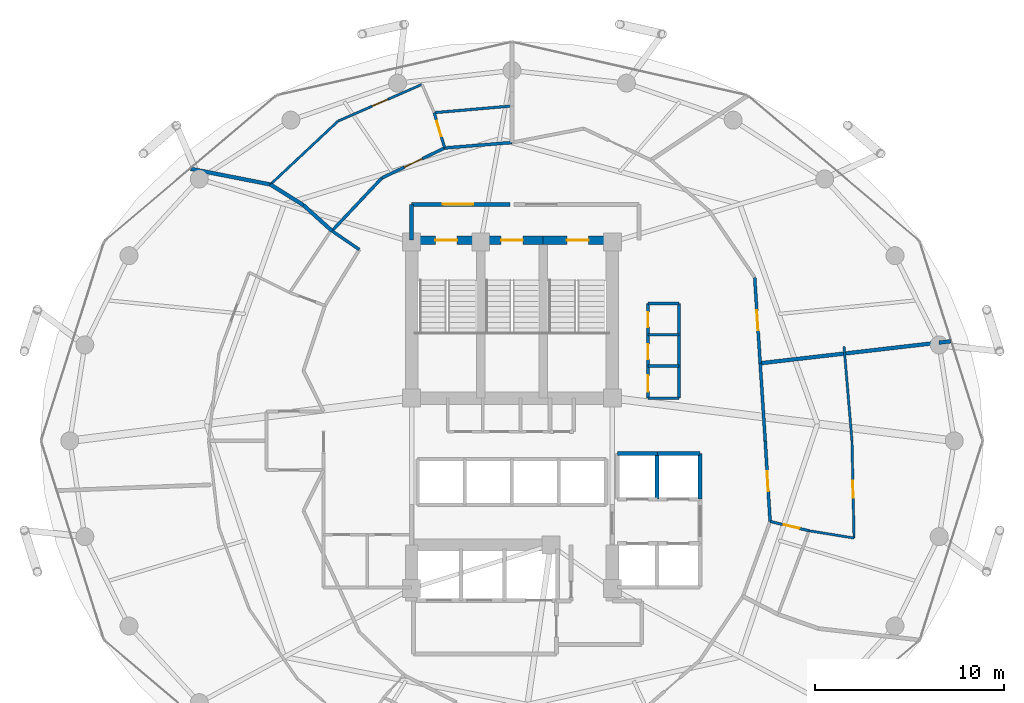
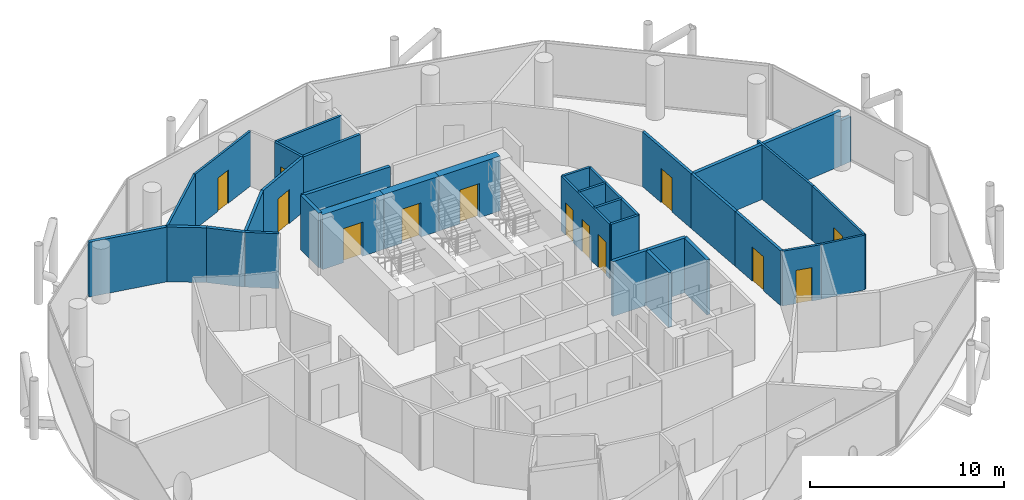
# One storey, part 24 of 26: 35 walls, 14 doors, 14 openings.
"""IFC4 building model written with IfcOpenShell, lengths in metres."""

from ifc_helpers import new_model, si_unit, direction, frame, frame_2d, origin, place, context, subcontext, project, spatial, rectangle, extrude, material, layer, layer_set, type_object, element, fill, save


model = new_model("IFC4")

# Units and contexts
model_context = context("Model", 3, precision=1e-05, world=origin(), true_north=direction((0.0, 1.0)))
body_context = subcontext(model_context, "Body", "Model", "MODEL_VIEW")
ifc_project = project(units=[si_unit("LENGTHUNIT", "METRE"), si_unit("AREAUNIT", "SQUARE_METRE"), si_unit("VOLUMEUNIT", "CUBIC_METRE"), si_unit("PLANEANGLEUNIT", "RADIAN"), si_unit("MASSUNIT", "GRAM", prefix="KILO")], contexts=[model_context])

# Site, building, storey
site_placement = place(None, origin())
site = spatial("IfcSite", under=ifc_project, at=site_placement, CompositionType="ELEMENT")
building_placement = place(site_placement, origin())
building = spatial("IfcBuilding", under=site, at=building_placement, Name="Nuhasar Tower", CompositionType="ELEMENT")
storey_placement = place(building_placement, frame((0.0, 0.0, 136.75)))
storey = spatial("IfcBuildingStorey", under=building, at=storey_placement, Name="L32", CompositionType="ELEMENT", Elevation=136.75)

# Wall, opening, door
ifc_material_1 = material(Name="Concrete C50/60", Category="concrete")
ifc_layer_1 = layer(ifc_material_1, 0.449951171875)
ifc_layer_set_1 = layer_set([ifc_layer_1], Name="Concrete C50/60")
wall_type_1 = type_object("IfcWallType", Name="WL-CORE-450", PredefinedType="SHEAR", material=ifc_layer_set_1)
wall_1_placement = place(storey_placement, frame((37.35009765625, 37.39990234375, 0.0), z_axis=(0.0, 0.0, 1.0), x_axis=(-1.0, 0.0, 0.0)))
wall_1 = element("IfcWall", 1, at=wall_1_placement, inside=storey, type_object=wall_type_1, Name="L32 Stairwell Shear Wall ST01-N", PredefinedType="SHEAR", context=body_context, shape_type="SweptSolid", body=[
    extrude(rectangle(XDim=3.650146484375, YDim=0.449951171875, at=frame_2d((1.8251953125, 0.0))), origin(), (0.0, 0.0, 1.0), 3.449951171875),
])
opening_1_placement = place(wall_1_placement, frame((1.25, 0.0, 0.0)))
opening_1 = element("IfcOpeningElement", 2, at=opening_1_placement, cuts=wall_1, Name="Opening DS-01", PredefinedType="OPENING", context=body_context, shape_type="SweptSolid", body=[
    extrude(rectangle(XDim=1.14990234375, YDim=2.14990234375, at=frame_2d((0.574951171875, 1.074951171875))), frame((0.0, 0.23486328125, 0.0), z_axis=(0.0, -1.0, 0.0), x_axis=(1.0, 0.0, 0.0)), (0.0, 0.0, 1.0), 0.469970703125),
])
ifc_material_2 = material(Name="Steel S355", Category="steel")
door_type_1 = type_object("IfcDoorType", Name="DR-STAIR-FD120-1150", OperationType="NOTDEFINED", PredefinedType="DOOR", material=ifc_material_2)
door_1_placement = place(opening_1_placement, origin())
door_1 = element("IfcDoor", 3, at=door_1_placement, inside=storey, type_object=door_type_1, Name="L32 Exit Stair ST-01 Door", OperationType="SINGLE_SWING_RIGHT", OverallHeight=2.14990234375, OverallWidth=1.14990234375, PredefinedType="DOOR", context=body_context, shape_type="SweptSolid", body=[
    extrude(rectangle(XDim=1.14990234375, YDim=2.14990234375, at=frame_2d((0.574951171875, 1.074951171875))), frame((0.0, 0.02490234375, 0.0), z_axis=(0.0, -1.0, 0.0), x_axis=(1.0, 0.0, 0.0)), (0.0, 0.0, 1.0), 0.050048828125),
])
fill(opening_1, door_1)

wall_2_placement = place(storey_placement, frame((40.64990234375, 37.39990234375, 0.0), z_axis=(0.0, 0.0, 1.0), x_axis=(-1.0, 0.0, 0.0)))
wall_2 = element("IfcWall", 4, at=wall_2_placement, inside=storey, type_object=wall_type_1, Name="L32 Stairwell Shear Wall ST03-N", PredefinedType="SHEAR", context=body_context, shape_type="SweptSolid", body=[
    extrude(rectangle(XDim=3.2998046875, YDim=0.449951171875, at=frame_2d((1.64990234375, 0.0))), origin(), (0.0, 0.0, 1.0), 3.449951171875),
])
opening_2_placement = place(wall_2_placement, frame((1.074951171875, 0.0, 0.0)))
opening_2 = element("IfcOpeningElement", 5, at=opening_2_placement, cuts=wall_2, Name="Opening DS-01", PredefinedType="OPENING", context=body_context, shape_type="SweptSolid", body=[
    extrude(rectangle(XDim=1.14990234375, YDim=2.14990234375, at=frame_2d((0.574951171875, 1.074951171875))), frame((0.0, 0.23486328125, 0.0), z_axis=(0.0, -1.0, 0.0), x_axis=(1.0, 0.0, 0.0)), (0.0, 0.0, 1.0), 0.469970703125),
])
door_2_placement = place(opening_2_placement, origin())
door_2 = element("IfcDoor", 6, at=door_2_placement, inside=storey, type_object=door_type_1, Name="L32 Exit Stair ST-03 Door", OperationType="SINGLE_SWING_RIGHT", OverallHeight=2.14990234375, OverallWidth=1.14990234375, PredefinedType="DOOR", context=body_context, shape_type="SweptSolid", body=[
    extrude(rectangle(XDim=1.14990234375, YDim=2.14990234375, at=frame_2d((0.574951171875, 1.074951171875))), frame((0.0, 0.02490234375, 0.0), z_axis=(0.0, -1.0, 0.0), x_axis=(1.0, 0.0, 0.0)), (0.0, 0.0, 1.0), 0.050048828125),
])
fill(opening_2, door_2)

wall_3_placement = place(storey_placement, frame((44.300048828125, 37.39990234375, 0.0), z_axis=(0.0, 0.0, 1.0), x_axis=(-1.0, 0.0, 0.0)))
wall_3 = element("IfcWall", 7, at=wall_3_placement, inside=storey, type_object=wall_type_1, Name="L32 Stairwell Shear Wall ST02-N", PredefinedType="SHEAR", context=body_context, shape_type="SweptSolid", body=[
    extrude(rectangle(XDim=3.650146484375, YDim=0.449951171875, at=frame_2d((1.8251953125, 0.0))), origin(), (0.0, 0.0, 1.0), 3.449951171875),
])
opening_3_placement = place(wall_3_placement, frame((1.25, 0.0, 0.0)))
opening_3 = element("IfcOpeningElement", 8, at=opening_3_placement, cuts=wall_3, Name="Opening DS-01", PredefinedType="OPENING", context=body_context, shape_type="SweptSolid", body=[
    extrude(rectangle(XDim=1.14990234375, YDim=2.14990234375, at=frame_2d((0.574951171875, 1.074951171875))), frame((0.0, 0.23486328125, 0.0), z_axis=(0.0, -1.0, 0.0), x_axis=(1.0, 0.0, 0.0)), (0.0, 0.0, 1.0), 0.469970703125),
])
door_3_placement = place(opening_3_placement, origin())
door_3 = element("IfcDoor", 9, at=door_3_placement, inside=storey, type_object=door_type_1, Name="L32 Exit Stair ST-02 Door", OperationType="SINGLE_SWING_LEFT", OverallHeight=2.14990234375, OverallWidth=1.14990234375, PredefinedType="DOOR", context=body_context, shape_type="SweptSolid", body=[
    extrude(rectangle(XDim=1.14990234375, YDim=2.14990234375, at=frame_2d((0.574951171875, 1.074951171875))), frame((0.0, 0.02490234375, 0.0), z_axis=(0.0, -1.0, 0.0), x_axis=(1.0, 0.0, 0.0)), (0.0, 0.0, 1.0), 0.050048828125),
])
fill(opening_3, door_3)

ifc_material_3 = material(Name="Gypsum Board", Category="gypsum")
ifc_layer_2 = layer(ifc_material_3, 0.159912109375)
ifc_layer_set_2 = layer_set([ifc_layer_2], Name="Gypsum Board")
wall_type_2 = type_object("IfcWallType", Name="WL-CORR-160", PredefinedType="PARTITIONING", material=ifc_layer_set_2)
wall_4_placement = place(storey_placement, frame((52.3701171875, 26.800048828125, 0.0), z_axis=(0.0, 0.0, 1.0), x_axis=(0.060208216468, -0.998185839746, 0.0)))
wall_4 = element("IfcWall", 10, at=wall_4_placement, inside=storey, type_object=wall_type_2, Name="L32 Interior Partition CORR-46", PredefinedType="PARTITIONING", context=body_context, shape_type="SweptSolid", body=[
    extrude(rectangle(XDim=4.265869140625, YDim=0.159912109375, at=frame_2d((2.1328125, 0.0))), origin(), (0.0, 0.0, 1.0), 3.449951171875),
])
opening_4_placement = place(wall_4_placement, frame((1.60791015625, 0.0, 0.0)))
opening_4 = element("IfcOpeningElement", 11, at=opening_4_placement, cuts=wall_4, Name="Opening DU-01", PredefinedType="OPENING", context=body_context, shape_type="SweptSolid", body=[
    extrude(rectangle(XDim=1.050048828125, YDim=2.14990234375, at=frame_2d((0.52490234375, 1.074951171875))), frame((0.0, 0.08984375, 0.0), z_axis=(0.0, -1.0, 0.0), x_axis=(1.0, 0.0, 0.0)), (0.0, 0.0, 1.0), 0.179931640625),
])
ifc_material_4 = material(Name="Timber Oak", Category="wood")
door_type_2 = type_object("IfcDoorType", Name="DR-SUITE-FD60-1050", OperationType="NOTDEFINED", PredefinedType="DOOR", material=ifc_material_4)
door_4_placement = place(opening_4_placement, origin())
door_4 = element("IfcDoor", 12, at=door_4_placement, inside=storey, type_object=door_type_2, Name="L32 Panorama Suite 02 Entrance Door", OperationType="SINGLE_SWING_RIGHT", OverallHeight=2.14990234375, OverallWidth=1.050048828125, PredefinedType="DOOR", context=body_context, shape_type="SweptSolid", body=[
    extrude(rectangle(XDim=1.050048828125, YDim=2.14990234375, at=frame_2d((0.52490234375, 1.074951171875))), frame((0.0, 0.02490234375, 0.0), z_axis=(0.0, -1.0, 0.0), x_axis=(1.0, 0.0, 0.0)), (0.0, 0.0, 1.0), 0.050048828125),
])
fill(opening_4, door_4)

# Wall
wall_5_placement = place(storey_placement, frame((52.3701171875, 26.800048828125, 0.0), z_axis=(0.0, 0.0, 1.0), x_axis=(-0.065101036033, 0.997878677549, 0.0)))
element("IfcWall", 13, at=wall_5_placement, inside=storey, type_object=wall_type_2, Name="L32 Interior Partition CORR-00", PredefinedType="PARTITIONING", context=body_context, shape_type="SweptSolid", body=[
    extrude(rectangle(XDim=4.102783203125, YDim=0.159912109375, at=frame_2d((2.05126953125, 0.0))), origin(), (0.0, 0.0, 1.0), 3.449951171875),
])

# Wall, opening, door
wall_6_placement = place(storey_placement, frame((51.81396484375, 35.427001953125, 0.0), z_axis=(0.0, 0.0, 1.0), x_axis=(0.063639788552, -0.997972934159, 0.0)))
wall_6 = element("IfcWall", 14, at=wall_6_placement, inside=storey, type_object=wall_type_2, Name="L32 Interior Partition CORR-02", PredefinedType="PARTITIONING", context=body_context, shape_type="SweptSolid", body=[
    extrude(rectangle(XDim=4.542236328125, YDim=0.159912109375, at=frame_2d((2.27099609375, 0.0))), origin(), (0.0, 0.0, 1.0), 3.449951171875),
])
opening_5_placement = place(wall_6_placement, frame((1.74609375, 0.0, 0.0)))
opening_5 = element("IfcOpeningElement", 15, at=opening_5_placement, cuts=wall_6, Name="Opening DU-01", PredefinedType="OPENING", context=body_context, shape_type="SweptSolid", body=[
    extrude(rectangle(XDim=1.050048828125, YDim=2.14990234375, at=frame_2d((0.52490234375, 1.074951171875))), frame((0.0, 0.08984375, 0.0), z_axis=(0.0, -1.0, 0.0), x_axis=(1.0, 0.0, 0.0)), (0.0, 0.0, 1.0), 0.179931640625),
])
door_5_placement = place(opening_5_placement, origin())
door_5 = element("IfcDoor", 16, at=door_5_placement, inside=storey, type_object=door_type_2, Name="L32 Sommelier Tea Lounge Entrance Door", OperationType="SINGLE_SWING_RIGHT", OverallHeight=2.14990234375, OverallWidth=1.050048828125, PredefinedType="DOOR", context=body_context, shape_type="SweptSolid", body=[
    extrude(rectangle(XDim=1.050048828125, YDim=2.14990234375, at=frame_2d((0.52490234375, 1.074951171875))), frame((0.0, 0.02490234375, 0.0), z_axis=(0.0, -1.0, 0.0), x_axis=(1.0, 0.0, 0.0)), (0.0, 0.0, 1.0), 0.050048828125),
])
fill(opening_5, door_5)

# Wall
wall_7_placement = place(storey_placement, frame((39.0, 42.550048828125, 0.0), z_axis=(0.0, 0.0, 1.0), x_axis=(-0.996706794078, -0.081089867669, 0.0)))
element("IfcWall", 17, at=wall_7_placement, inside=storey, type_object=wall_type_2, Name="L32 Interior Partition CORR-12", PredefinedType="PARTITIONING", context=body_context, shape_type="SweptSolid", body=[
    extrude(rectangle(XDim=3.564697265625, YDim=0.159912109375, at=frame_2d((1.7822265625, 0.0))), origin(), (0.0, 0.0, 1.0), 3.449951171875),
])

# Wall, opening, door
wall_8_placement = place(storey_placement, frame((32.12890625, 40.677001953125, 0.0), z_axis=(0.0, 0.0, 1.0), x_axis=(0.902445250627, 0.430804560817, 0.0)))
wall_8 = element("IfcWall", 18, at=wall_8_placement, inside=storey, type_object=wall_type_2, Name="L32 Interior Partition CORR-14", PredefinedType="PARTITIONING", context=body_context, shape_type="SweptSolid", body=[
    extrude(rectangle(XDim=3.6767578125, YDim=0.159912109375, at=frame_2d((1.83837890625, 0.0))), origin(), (0.0, 0.0, 1.0), 3.449951171875),
])
opening_6_placement = place(wall_8_placement, frame((1.31298828125, 0.0, 0.0)))
opening_6 = element("IfcOpeningElement", 19, at=opening_6_placement, cuts=wall_8, Name="Opening DU-01", PredefinedType="OPENING", context=body_context, shape_type="SweptSolid", body=[
    extrude(rectangle(XDim=1.050048828125, YDim=2.14990234375, at=frame_2d((0.52490234375, 1.074951171875))), frame((0.0, 0.08984375, 0.0), z_axis=(0.0, -1.0, 0.0), x_axis=(1.0, 0.0, 0.0)), (0.0, 0.0, 1.0), 0.179931640625),
])
door_6_placement = place(opening_6_placement, origin())
door_6 = element("IfcDoor", 20, at=door_6_placement, inside=storey, type_object=door_type_2, Name="L32 Corniche Suite 03 Entrance Door", OperationType="SINGLE_SWING_RIGHT", OverallHeight=2.14990234375, OverallWidth=1.050048828125, PredefinedType="DOOR", context=body_context, shape_type="SweptSolid", body=[
    extrude(rectangle(XDim=1.050048828125, YDim=2.14990234375, at=frame_2d((0.52490234375, 1.074951171875))), frame((0.0, 0.02490234375, 0.0), z_axis=(0.0, -1.0, 0.0), x_axis=(1.0, 0.0, 0.0)), (0.0, 0.0, 1.0), 0.050048828125),
])
fill(opening_6, door_6)

# Walls
wall_9_placement = place(storey_placement, frame((32.12890625, 40.677001953125, 0.0), z_axis=(0.0, 0.0, 1.0), x_axis=(-0.68619756668, -0.727415218072, 0.0)))
element("IfcWall", 21, at=wall_9_placement, inside=storey, type_object=wall_type_2, Name="L32 Interior Partition CORR-16", PredefinedType="PARTITIONING", context=body_context, shape_type="SweptSolid", body=[
    extrude(rectangle(XDim=3.838134765625, YDim=0.159912109375, at=frame_2d((1.9189453125, 0.0))), origin(), (0.0, 0.0, 1.0), 3.449951171875),
])
wall_10_placement = place(storey_placement, frame((30.93896484375, 36.89697265625, 0.0), z_axis=(0.0, 0.0, 1.0), x_axis=(-0.825269608573, 0.564738942491, 0.0)))
element("IfcWall", 22, at=wall_10_placement, inside=storey, type_object=wall_type_2, Name="L32 Interior Partition HRAD-18-IN", PredefinedType="PARTITIONING", context=body_context, shape_type="SweptSolid", body=[
    extrude(rectangle(XDim=1.74951171875, YDim=0.159912109375, at=frame_2d((0.874755859375, 0.0))), origin(), (0.0, 0.0, 1.0), 3.449951171875),
])
ifc_material_5 = material(Name="Concrete C45/55", Category="concrete")
ifc_layer_3 = layer(ifc_material_5, 0.199951171875)
ifc_layer_set_3 = layer_set([ifc_layer_3], Name="Concrete C45/55")
wall_type_3 = type_object("IfcWallType", Name="WL-LOBBY-200", PredefinedType="SOLIDWALL", material=ifc_layer_set_3)
wall_11_placement = place(storey_placement, frame((33.699951171875, 37.39990234375, 0.0), z_axis=(0.0, 0.0, 1.0), x_axis=(0.0, 1.0, 0.0)))
element("IfcWall", 23, at=wall_11_placement, inside=storey, type_object=wall_type_3, Name="L32 Interior Partition NSL-W", PredefinedType="SOLIDWALL", context=body_context, shape_type="SweptSolid", body=[
    extrude(rectangle(XDim=1.880126953125, YDim=0.199951171875, at=frame_2d((0.93994140625, 0.0))), origin(), (0.0, 0.0, 1.0), 3.449951171875),
])

# Wall, opening, door
wall_12_placement = place(storey_placement, frame((38.89990234375, 39.280029296875, 0.0), z_axis=(0.0, 0.0, 1.0), x_axis=(-1.0, 0.0, 0.0)))
wall_12 = element("IfcWall", 24, at=wall_12_placement, inside=storey, type_object=wall_type_3, Name="L32 Interior Partition NSL-N1", PredefinedType="SOLIDWALL", context=body_context, shape_type="SweptSolid", body=[
    extrude(rectangle(XDim=5.199951171875, YDim=0.199951171875, at=frame_2d((2.60009765625, 0.0))), origin(), (0.0, 0.0, 1.0), 3.449951171875),
])
opening_7_placement = place(wall_12_placement, frame((1.949951171875, 0.0, 0.0)))
opening_7 = element("IfcOpeningElement", 25, at=opening_7_placement, cuts=wall_12, Name="Opening DC-01", PredefinedType="OPENING", context=body_context, shape_type="SweptSolid", body=[
    extrude(rectangle(XDim=1.60009765625, YDim=2.199951171875, at=frame_2d((0.800048828125, 1.10009765625))), frame((0.0, 0.10986328125, 0.0), z_axis=(0.0, -1.0, 0.0), x_axis=(1.0, 0.0, 0.0)), (0.0, 0.0, 1.0), 0.219970703125),
])
door_type_3 = type_object("IfcDoorType", Name="DR-CORR-FD60-1600", OperationType="DOUBLE_DOOR_SINGLE_SWING", PredefinedType="DOOR", material=ifc_material_2)
door_7_placement = place(opening_7_placement, origin())
door_7 = element("IfcDoor", 26, at=door_7_placement, inside=storey, type_object=door_type_3, Name="L32 North Stair Lobby West Door", OperationType="DOUBLE_DOOR_SINGLE_SWING", OverallHeight=2.199951171875, OverallWidth=1.60009765625, PredefinedType="DOOR", context=body_context, shape_type="SweptSolid", body=[
    extrude(rectangle(XDim=1.60009765625, YDim=2.199951171875, at=frame_2d((0.800048828125, 1.10009765625))), frame((0.0, 0.02490234375, 0.0), z_axis=(0.0, -1.0, 0.0), x_axis=(1.0, 0.0, 0.0)), (0.0, 0.0, 1.0), 0.050048828125),
])
fill(opening_7, door_7)

# Wall
ifc_layer_4 = layer(ifc_material_3, 0.125)
ifc_layer_set_4 = layer_set([ifc_layer_4], Name="Gypsum Board")
wall_type_4 = type_object("IfcWallType", Name="WL-PART-125", PredefinedType="PARTITIONING", material=ifc_layer_set_4)
wall_13_placement = place(storey_placement, frame((54.68701171875, 22.051025390625, 0.0), z_axis=(0.0, 0.0, 1.0), x_axis=(0.987082473446, -0.160212953955, 0.0)))
element("IfcWall", 27, at=wall_13_placement, inside=storey, type_object=wall_type_4, Name="L32 Interior Partition HBS-03", PredefinedType="PARTITIONING", context=body_context, shape_type="SweptSolid", body=[
    extrude(rectangle(XDim=2.403076171875, YDim=0.125, at=frame_2d((1.20166015625, 0.0))), origin(), (0.0, 0.0, 1.0), 3.449951171875),
])

# Wall, opening, door
wall_14_placement = place(storey_placement, frame((56.949951171875, 26.800048828125, 0.0), z_axis=(0.0, 0.0, 1.0), x_axis=(0.02125155973, -0.999774160103, 0.0)))
wall_14 = element("IfcWall", 28, at=wall_14_placement, inside=storey, type_object=wall_type_4, Name="L32 Interior Partition HSAL-03-46", PredefinedType="PARTITIONING", context=body_context, shape_type="SweptSolid", body=[
    extrude(rectangle(XDim=5.13525390625, YDim=0.125, at=frame_2d((2.567626953125, 0.0))), origin(), (0.0, 0.0, 1.0), 3.449951171875),
])
opening_8_placement = place(wall_14_placement, frame((2.117919921875, 0.0, 0.0)))
opening_8 = element("IfcOpeningElement", 29, at=opening_8_placement, cuts=wall_14, Name="Opening DR-01", PredefinedType="OPENING", context=body_context, shape_type="SweptSolid", body=[
    extrude(rectangle(XDim=0.89990234375, YDim=2.10009765625, at=frame_2d((0.449951171875, 1.050048828125))), frame((0.0, 0.072509765625, 0.0), z_axis=(0.0, -1.0, 0.0), x_axis=(1.0, 0.0, 0.0)), (0.0, 0.0, 1.0), 0.14501953125),
])
door_type_4 = type_object("IfcDoorType", Name="DR-ROOM-900", OperationType="NOTDEFINED", PredefinedType="DOOR", material=ifc_material_4)
door_8_placement = place(opening_8_placement, origin())
door_8 = element("IfcDoor", 30, at=door_8_placement, inside=storey, type_object=door_type_4, Name="L32 Panorama Suite 02 Bedroom Door", OperationType="SINGLE_SWING_RIGHT", OverallHeight=2.10009765625, OverallWidth=0.89990234375, PredefinedType="DOOR", context=body_context, shape_type="SweptSolid", body=[
    extrude(rectangle(XDim=0.89990234375, YDim=2.10009765625, at=frame_2d((0.449951171875, 1.050048828125))), frame((0.0, 0.02490234375, 0.0), z_axis=(0.0, -1.0, 0.0), x_axis=(1.0, 0.0, 0.0)), (0.0, 0.0, 1.0), 0.050048828125),
])
fill(opening_8, door_8)

# Wall
wall_15_placement = place(storey_placement, frame((56.949951171875, 26.800048828125, 0.0), z_axis=(0.0, 0.0, 1.0), x_axis=(-0.083958417044, 0.996469259038, 0.0)))
element("IfcWall", 31, at=wall_15_placement, inside=storey, type_object=wall_type_4, Name="L32 Interior Partition HSAL-03-00", PredefinedType="PARTITIONING", context=body_context, shape_type="SweptSolid", body=[
    extrude(rectangle(XDim=5.00146484375, YDim=0.125, at=frame_2d((2.500732421875, 0.0))), origin(), (0.0, 0.0, 1.0), 3.449951171875),
])

# Wall, opening, door
wall_16_placement = place(storey_placement, frame((29.81494140625, 43.678955078125, 0.0), z_axis=(0.0, 0.0, 1.0), x_axis=(0.916122593443, 0.400898233699, 0.0)))
wall_16 = element("IfcWall", 32, at=wall_16_placement, inside=storey, type_object=wall_type_4, Name="L32 Interior Partition HSAL-06-14", PredefinedType="PARTITIONING", context=body_context, shape_type="SweptSolid", body=[
    extrude(rectangle(XDim=4.8388671875, YDim=0.125, at=frame_2d((2.41943359375, 0.0))), origin(), (0.0, 0.0, 1.0), 3.449951171875),
])
opening_9_placement = place(wall_16_placement, frame((1.968994140625, 0.0, 0.0)))
opening_9 = element("IfcOpeningElement", 33, at=opening_9_placement, cuts=wall_16, Name="Opening DR-01", PredefinedType="OPENING", context=body_context, shape_type="SweptSolid", body=[
    extrude(rectangle(XDim=0.89990234375, YDim=2.10009765625, at=frame_2d((0.449951171875, 1.050048828125))), frame((0.0, 0.072509765625, 0.0), z_axis=(0.0, -1.0, 0.0), x_axis=(1.0, 0.0, 0.0)), (0.0, 0.0, 1.0), 0.14501953125),
])
door_9_placement = place(opening_9_placement, origin())
door_9 = element("IfcDoor", 34, at=door_9_placement, inside=storey, type_object=door_type_4, Name="L32 Corniche Suite 03 Bedroom Door", OperationType="SINGLE_SWING_RIGHT", OverallHeight=2.10009765625, OverallWidth=0.89990234375, PredefinedType="DOOR", context=body_context, shape_type="SweptSolid", body=[
    extrude(rectangle(XDim=0.89990234375, YDim=2.10009765625, at=frame_2d((0.449951171875, 1.050048828125))), frame((0.0, 0.02490234375, 0.0), z_axis=(0.0, -1.0, 0.0), x_axis=(1.0, 0.0, 0.0)), (0.0, 0.0, 1.0), 0.050048828125),
])
fill(opening_9, door_9)

# Walls
wall_17_placement = place(storey_placement, frame((29.81494140625, 43.678955078125, 0.0), z_axis=(0.0, 0.0, 1.0), x_axis=(-0.729831223249, -0.683627373333, 0.0)))
element("IfcWall", 35, at=wall_17_placement, inside=storey, type_object=wall_type_4, Name="L32 Interior Partition HSAL-06-16", PredefinedType="PARTITIONING", context=body_context, shape_type="SweptSolid", body=[
    extrude(rectangle(XDim=4.89306640625, YDim=0.125, at=frame_2d((2.446533203125, 0.0))), origin(), (0.0, 0.0, 1.0), 3.449951171875),
])
ifc_layer_5 = layer(ifc_material_5, 0.199951171875)
ifc_layer_set_5 = layer_set([ifc_layer_5], Name="Concrete C45/55")
wall_type_5 = type_object("IfcWallType", Name="WL-SHAFT-200", PredefinedType="SOLIDWALL", material=ifc_layer_set_5)
wall_18_placement = place(storey_placement, frame((44.570068359375, 26.1298828125, 0.0), z_axis=(0.0, 0.0, 1.0), x_axis=(1.0, 0.0, 0.0)))
element("IfcWall", 36, at=wall_18_placement, inside=storey, type_object=wall_type_5, Name="L32 Interior Partition SHF-PL-M01-N", PredefinedType="SOLIDWALL", context=body_context, shape_type="SweptSolid", body=[
    extrude(rectangle(XDim=2.10986328125, YDim=0.199951171875, at=frame_2d((1.054931640625, 0.0))), origin(), (0.0, 0.0, 1.0), 3.449951171875),
])
wall_19_placement = place(storey_placement, frame((46.64990234375, 23.719970703125, 0.0), z_axis=(0.0, 0.0, 1.0), x_axis=(0.0, 1.0, 0.0)))
element("IfcWall", 37, at=wall_19_placement, inside=storey, type_object=wall_type_5, Name="L32 Interior Partition SHF-PL-M01-E", PredefinedType="SOLIDWALL", context=body_context, shape_type="SweptSolid", body=[
    extrude(rectangle(XDim=2.409912109375, YDim=0.199951171875, at=frame_2d((1.205078125, 0.0))), origin(), (0.0, 0.0, 1.0), 3.449951171875),
])
wall_20_placement = place(storey_placement, frame((46.6201171875, 26.1298828125, 0.0), z_axis=(0.0, 0.0, 1.0), x_axis=(1.0, 0.0, 0.0)))
element("IfcWall", 38, at=wall_20_placement, inside=storey, type_object=wall_type_5, Name="L32 Interior Partition SHF-PL-M02-N", PredefinedType="SOLIDWALL", context=body_context, shape_type="SweptSolid", body=[
    extrude(rectangle(XDim=2.309814453125, YDim=0.199951171875, at=frame_2d((1.15478515625, 0.0))), origin(), (0.0, 0.0, 1.0), 3.449951171875),
])
wall_21_placement = place(storey_placement, frame((48.929931640625, 23.719970703125, 0.0), z_axis=(0.0, 0.0, 1.0), x_axis=(0.0, 1.0, 0.0)))
element("IfcWall", 39, at=wall_21_placement, inside=storey, type_object=wall_type_5, Name="L32 Interior Partition SHF-PL-M02-E", PredefinedType="SOLIDWALL", context=body_context, shape_type="SweptSolid", body=[
    extrude(rectangle(XDim=2.409912109375, YDim=0.199951171875, at=frame_2d((1.205078125, 0.0))), origin(), (0.0, 0.0, 1.0), 3.449951171875),
])
ifc_material_6 = material(Name="Concrete C40/50 precast", Category="concrete")
ifc_layer_6 = layer(ifc_material_6, 0.199951171875)
ifc_layer_set_6 = layer_set([ifc_layer_6], Name="Concrete C40/50 precast")
wall_type_6 = type_object("IfcWallType", Name="WL-UNIT-200", PredefinedType="PARTITIONING", material=ifc_layer_set_6)
wall_22_placement = place(storey_placement, frame((29.4951171875, 37.885009765625, 0.0), z_axis=(0.0, 0.0, 1.0), x_axis=(-0.743025279388, 0.669263351895, 0.0)))
element("IfcWall", 40, at=wall_22_placement, inside=storey, type_object=wall_type_6, Name="L32 Interior Partition HRAD-18-OUT-S1", PredefinedType="PARTITIONING", context=body_context, shape_type="SweptSolid", body=[
    extrude(rectangle(XDim=2.0322265625, YDim=0.199951171875, at=frame_2d((1.01611328125, 0.0))), origin(), (0.0, 0.0, 1.0), 3.449951171875),
])
wall_23_placement = place(storey_placement, frame((27.985107421875, 39.2451171875, 0.0), z_axis=(0.0, 0.0, 1.0), x_axis=(-0.847864702064, 0.530212643186, 0.0)))
element("IfcWall", 41, at=wall_23_placement, inside=storey, type_object=wall_type_6, Name="L32 Interior Partition HRAD-18-OUT-S2", PredefinedType="PARTITIONING", context=body_context, shape_type="SweptSolid", body=[
    extrude(rectangle(XDim=2.0537109375, YDim=0.199951171875, at=frame_2d((1.02685546875, 0.0))), origin(), (0.0, 0.0, 1.0), 3.449951171875),
])
wall_24_placement = place(storey_placement, frame((26.243896484375, 40.333984375, 0.0), z_axis=(0.0, 0.0, 1.0), x_axis=(-0.981207381692, 0.192956145571, 0.0)))
element("IfcWall", 42, at=wall_24_placement, inside=storey, type_object=wall_type_6, Name="L32 Interior Partition HRAD-18-OUT-S3", PredefinedType="PARTITIONING", context=body_context, shape_type="SweptSolid", body=[
    extrude(rectangle(XDim=4.2802734375, YDim=0.199951171875, at=frame_2d((2.14013671875, 0.0))), origin(), (0.0, 0.0, 1.0), 3.449951171875),
])
wall_25_placement = place(storey_placement, frame((52.10302734375, 30.89404296875, 0.0), z_axis=(0.0, 0.0, 1.0), x_axis=(0.993389572668, 0.114791798114, 0.0)))
element("IfcWall", 43, at=wall_25_placement, inside=storey, type_object=wall_type_6, Name="L32 Interior Partition HRAD-02", PredefinedType="PARTITIONING", context=body_context, shape_type="SweptSolid", body=[
    extrude(rectangle(XDim=9.504638671875, YDim=0.199951171875, at=frame_2d((4.75244140625, 0.0))), origin(), (0.0, 0.0, 1.0), 3.449951171875),
])
wall_26_placement = place(storey_placement, frame((61.544921875, 31.985107421875, 0.0), z_axis=(0.0, 0.0, 1.0), x_axis=(0.993484448957, 0.113967757198, 0.0)))
element("IfcWall", 44, at=wall_26_placement, inside=storey, type_object=wall_type_6, Name="L32 Interior Partition HRAD-02", PredefinedType="PARTITIONING", context=body_context, shape_type="SweptSolid", body=[
    extrude(rectangle(XDim=0.621337890625, YDim=0.199951171875, at=frame_2d((0.310546875, 0.0))), origin(), (0.0, 0.0, 1.0), 2.8349609375),
])

# Wall, openings, doors
ifc_layer_7 = layer(ifc_material_6, 0.139892578125)
ifc_layer_set_7 = layer_set([ifc_layer_7], Name="Concrete C40/50 precast")
wall_type_7 = type_object("IfcWallType", Name="WL-WET-140", PredefinedType="PARTITIONING", material=ifc_layer_set_7)
wall_27_placement = place(storey_placement, frame((46.179931640625, 34.050048828125, 0.0), z_axis=(0.0, 0.0, 1.0), x_axis=(0.0, -1.0, 0.0)))
wall_27 = element("IfcWall", 45, at=wall_27_placement, inside=storey, type_object=wall_type_7, Name="L32 Interior Partition K1-NE-W", PredefinedType="PARTITIONING", context=body_context, shape_type="SweptSolid", body=[
    extrude(rectangle(XDim=5.0, YDim=0.139892578125, at=frame_2d((2.5, 0.0))), origin(), (0.0, 0.0, 1.0), 3.449951171875),
])
opening_10_placement = place(wall_27_placement, frame((3.800048828125, 0.0, 0.0)))
opening_10 = element("IfcOpeningElement", 46, at=opening_10_placement, cuts=wall_27, Name="Opening DB-01", PredefinedType="OPENING", context=body_context, shape_type="SweptSolid", body=[
    extrude(rectangle(XDim=0.85009765625, YDim=2.10009765625, at=frame_2d((0.425048828125, 1.050048828125))), frame((0.0, 0.080078125, 0.0), z_axis=(0.0, -1.0, 0.0), x_axis=(1.0, 0.0, 0.0)), (0.0, 0.0, 1.0), 0.159912109375),
])
opening_11_placement = place(wall_27_placement, frame((2.14990234375, 0.0, 0.0)))
opening_11 = element("IfcOpeningElement", 47, at=opening_11_placement, cuts=wall_27, Name="Opening DM-01", PredefinedType="OPENING", context=body_context, shape_type="SweptSolid", body=[
    extrude(rectangle(XDim=0.800048828125, YDim=2.050048828125, at=frame_2d((0.39990234375, 1.02490234375))), frame((0.0, 0.080078125, 0.0), z_axis=(0.0, -1.0, 0.0), x_axis=(1.0, 0.0, 0.0)), (0.0, 0.0, 1.0), 0.159912109375),
])
opening_12_placement = place(wall_27_placement, frame((0.449951171875, 0.0, 0.0)))
opening_12 = element("IfcOpeningElement", 48, at=opening_12_placement, cuts=wall_27, Name="Opening DM-01", PredefinedType="OPENING", context=body_context, shape_type="SweptSolid", body=[
    extrude(rectangle(XDim=0.800048828125, YDim=2.050048828125, at=frame_2d((0.39990234375, 1.02490234375))), frame((0.0, 0.080078125, 0.0), z_axis=(0.0, -1.0, 0.0), x_axis=(1.0, 0.0, 0.0)), (0.0, 0.0, 1.0), 0.159912109375),
])
door_type_5 = type_object("IfcDoorType", Name="DR-BATH-850", OperationType="NOTDEFINED", PredefinedType="DOOR", material=ifc_material_4)
door_10_placement = place(opening_10_placement, origin())
door_10 = element("IfcDoor", 49, at=door_10_placement, inside=storey, type_object=door_type_5, Name="L32 NE Female WC Door", OperationType="SINGLE_SWING_RIGHT", OverallHeight=2.10009765625, OverallWidth=0.85009765625, PredefinedType="DOOR", context=body_context, shape_type="SweptSolid", body=[
    extrude(rectangle(XDim=0.85009765625, YDim=2.10009765625, at=frame_2d((0.425048828125, 1.050048828125))), frame((0.0, 0.02490234375, 0.0), z_axis=(0.0, -1.0, 0.0), x_axis=(1.0, 0.0, 0.0)), (0.0, 0.0, 1.0), 0.050048828125),
])
fill(opening_10, door_10)
door_type_6 = type_object("IfcDoorType", Name="DR-RISER-FD60-800", OperationType="NOTDEFINED", PredefinedType="DOOR", material=ifc_material_2)
door_11_placement = place(opening_11_placement, origin())
door_11 = element("IfcDoor", 50, at=door_11_placement, inside=storey, type_object=door_type_6, Name="L32 NE Meter Door", OperationType="SINGLE_SWING_RIGHT", OverallHeight=2.050048828125, OverallWidth=0.800048828125, PredefinedType="DOOR", context=body_context, shape_type="SweptSolid", body=[
    extrude(rectangle(XDim=0.800048828125, YDim=2.050048828125, at=frame_2d((0.39990234375, 1.02490234375))), frame((0.0, 0.02490234375, 0.0), z_axis=(0.0, -1.0, 0.0), x_axis=(1.0, 0.0, 0.0)), (0.0, 0.0, 1.0), 0.050048828125),
])
fill(opening_11, door_11)
door_12_placement = place(opening_12_placement, origin())
door_12 = element("IfcDoor", 51, at=door_12_placement, inside=storey, type_object=door_type_6, Name="L32 NE Telecom Door", OperationType="SINGLE_SWING_LEFT", OverallHeight=2.050048828125, OverallWidth=0.800048828125, PredefinedType="DOOR", context=body_context, shape_type="SweptSolid", body=[
    extrude(rectangle(XDim=0.800048828125, YDim=2.050048828125, at=frame_2d((0.39990234375, 1.02490234375))), frame((0.0, 0.02490234375, 0.0), z_axis=(0.0, -1.0, 0.0), x_axis=(1.0, 0.0, 0.0)), (0.0, 0.0, 1.0), 0.050048828125),
])
fill(opening_12, door_12)

# Walls
for number, where, z_axis, x_axis, name in (
    (52, (46.179931640625, 29.050048828125, 0.0), (0.0, 0.0, 1.0), (1.0, 0.0, 0.0), "L32 Interior Partition K1-NE-S"),
    (53, (46.179931640625, 30.75, 0.0), (0.0, 0.0, 1.0), (1.0, 0.0, 0.0), "L32 Interior Partition K1-NE-M1"),
    (54, (46.179931640625, 32.39990234375, 0.0), (0.0, 0.0, 1.0), (1.0, 0.0, 0.0), "L32 Interior Partition K1-NE-M2"),
    (55, (46.179931640625, 34.050048828125, 0.0), (0.0, 0.0, 1.0), (1.0, 0.0, 0.0), "L32 Interior Partition K1-NE-N"),
):
    element("IfcWall", number, at=place(storey_placement, frame(where, z_axis=z_axis, x_axis=x_axis)), inside=storey, type_object=wall_type_7, Name=name, PredefinedType="PARTITIONING", context=body_context, shape_type="SweptSolid", body=[
        extrude(rectangle(XDim=1.64013671875, YDim=0.139892578125, at=frame_2d((0.820068359375, 0.0))), origin(), (0.0, 0.0, 1.0), 3.449951171875),
    ])
wall_28_placement = place(storey_placement, frame((47.820068359375, 29.050048828125, 0.0), z_axis=(0.0, 0.0, 1.0), x_axis=(0.0, 1.0, 0.0)))
element("IfcWall", 56, at=wall_28_placement, inside=storey, type_object=wall_type_7, Name="L32 Interior Partition K1-NE-E", PredefinedType="PARTITIONING", context=body_context, shape_type="SweptSolid", body=[
    extrude(rectangle(XDim=5.0, YDim=0.139892578125, at=frame_2d((2.5, 0.0))), origin(), (0.0, 0.0, 1.0), 3.449951171875),
])

# Wall, opening, door
wall_29_placement = place(storey_placement, frame((52.626953125, 22.5419921875, 0.0), z_axis=(0.0, 0.0, 1.0), x_axis=(0.972755476871, -0.231833522634, 0.0)))
wall_29 = element("IfcWall", 57, at=wall_29_placement, inside=storey, type_object=wall_type_7, Name="L32 Interior Partition HBW-03", PredefinedType="PARTITIONING", context=body_context, shape_type="SweptSolid", body=[
    extrude(rectangle(XDim=2.11767578125, YDim=0.139892578125, at=frame_2d((1.058837890625, 0.0))), origin(), (0.0, 0.0, 1.0), 3.449951171875),
])
opening_13_placement = place(wall_29_placement, frame((0.739990234375, 0.0, 0.0)))
opening_13 = element("IfcOpeningElement", 58, at=opening_13_placement, cuts=wall_29, Name="Opening DB-01", PredefinedType="OPENING", context=body_context, shape_type="SweptSolid", body=[
    extrude(rectangle(XDim=0.85009765625, YDim=2.10009765625, at=frame_2d((0.425048828125, 1.050048828125))), frame((0.0, 0.080078125, 0.0), z_axis=(0.0, -1.0, 0.0), x_axis=(1.0, 0.0, 0.0)), (0.0, 0.0, 1.0), 0.159912109375),
])
door_13_placement = place(opening_13_placement, origin())
door_13 = element("IfcDoor", 59, at=door_13_placement, inside=storey, type_object=door_type_5, Name="L32 Panorama Suite 02 En-Suite Door", OperationType="SINGLE_SWING_RIGHT", OverallHeight=2.10009765625, OverallWidth=0.85009765625, PredefinedType="DOOR", context=body_context, shape_type="SweptSolid", body=[
    extrude(rectangle(XDim=0.85009765625, YDim=2.10009765625, at=frame_2d((0.425048828125, 1.050048828125))), frame((0.0, 0.02490234375, 0.0), z_axis=(0.0, -1.0, 0.0), x_axis=(1.0, 0.0, 0.0)), (0.0, 0.0, 1.0), 0.050048828125),
])
fill(opening_13, door_13)

wall_30_placement = place(storey_placement, frame((35.447021484375, 42.260986328125, 0.0), z_axis=(0.0, 0.0, 1.0), x_axis=(-0.285930550579, 0.958250343201, 0.0)))
wall_30 = element("IfcWall", 60, at=wall_30_placement, inside=storey, type_object=wall_type_7, Name="L32 Interior Partition HBW-06", PredefinedType="PARTITIONING", context=body_context, shape_type="SweptSolid", body=[
    extrude(rectangle(XDim=1.944091796875, YDim=0.139892578125, at=frame_2d((0.97216796875, 0.0))), origin(), (0.0, 0.0, 1.0), 3.449951171875),
])
opening_14_placement = place(wall_30_placement, frame((0.64404296875, 0.0, 0.0)))
opening_14 = element("IfcOpeningElement", 61, at=opening_14_placement, cuts=wall_30, Name="Opening DB-01", PredefinedType="OPENING", context=body_context, shape_type="SweptSolid", body=[
    extrude(rectangle(XDim=0.85009765625, YDim=2.10009765625, at=frame_2d((0.425048828125, 1.050048828125))), frame((0.0, 0.080078125, 0.0), z_axis=(0.0, -1.0, 0.0), x_axis=(1.0, 0.0, 0.0)), (0.0, 0.0, 1.0), 0.159912109375),
])
door_14_placement = place(opening_14_placement, origin())
door_14 = element("IfcDoor", 62, at=door_14_placement, inside=storey, type_object=door_type_5, Name="L32 Corniche Suite 03 En-Suite Door", OperationType="SINGLE_SWING_RIGHT", OverallHeight=2.10009765625, OverallWidth=0.85009765625, PredefinedType="DOOR", context=body_context, shape_type="SweptSolid", body=[
    extrude(rectangle(XDim=0.85009765625, YDim=2.10009765625, at=frame_2d((0.425048828125, 1.050048828125))), frame((0.0, 0.02490234375, 0.0), z_axis=(0.0, -1.0, 0.0), x_axis=(1.0, 0.0, 0.0)), (0.0, 0.0, 1.0), 0.050048828125),
])
fill(opening_14, door_14)

# Wall
wall_31_placement = place(storey_placement, frame((39.0, 44.47998046875, 0.0), z_axis=(0.0, 0.0, 1.0), x_axis=(-0.996268523802, -0.086307754468, 0.0)))
element("IfcWall", 63, at=wall_31_placement, inside=storey, type_object=wall_type_7, Name="L32 Interior Partition HBF-06-12", PredefinedType="PARTITIONING", context=body_context, shape_type="SweptSolid", body=[
    extrude(rectangle(XDim=4.124267578125, YDim=0.139892578125, at=frame_2d((2.06201171875, 0.0))), origin(), (0.0, 0.0, 1.0), 3.449951171875),
])

save(model, "model.ifc")
